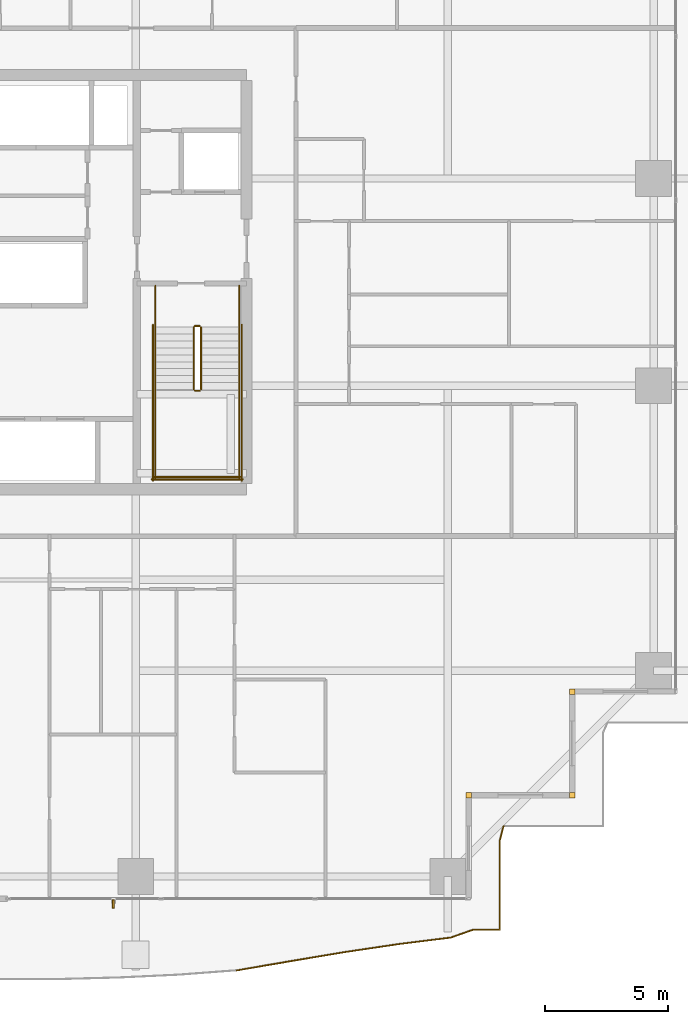
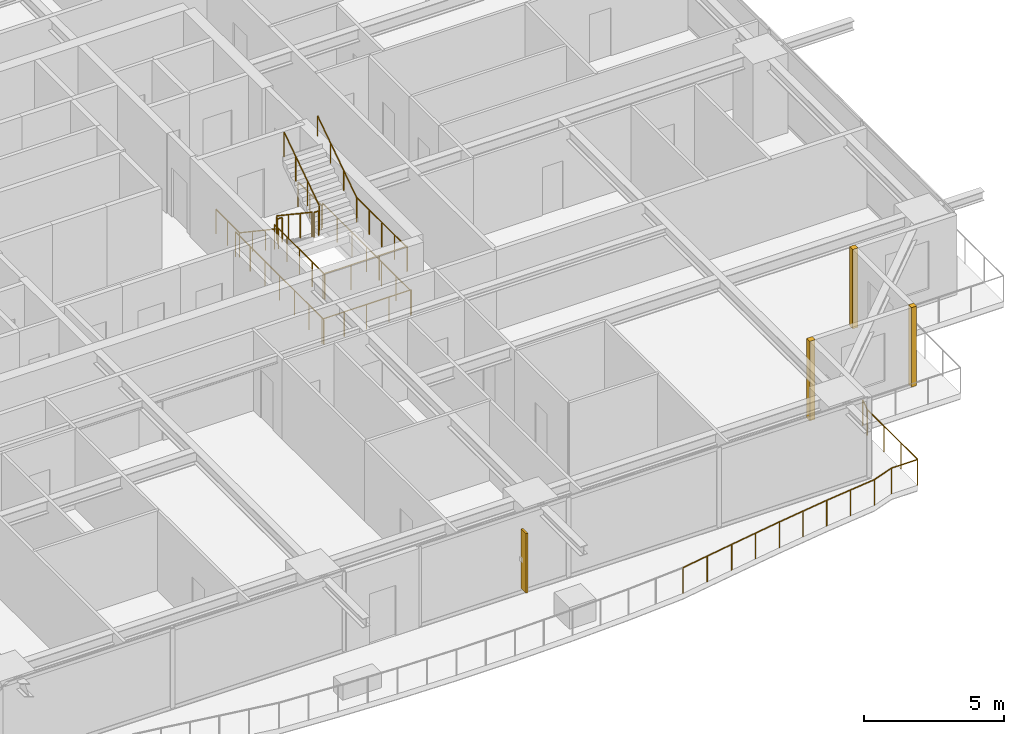
# One storey, part 38 of 41: 15 railings, 3 coverings, 1 shading device.
"""IFC4 building model written with IfcOpenShell, lengths in metres."""

from ifc_helpers import new_model, si_unit, direction, frame, origin, origin_2d, place, context, subcontext, project, spatial, rectangle, circle, extrude, source, transform, mapped, material, layer, layer_set, type_object, element, save


model = new_model("IFC4")

# Units and contexts
model_context = context("Model", 3, precision=1e-05, world=origin(), true_north=direction((0.0, 1.0)))
body_context = subcontext(model_context, "Body", "Model", "MODEL_VIEW")
ifc_project = project(units=[si_unit("LENGTHUNIT", "METRE"), si_unit("AREAUNIT", "SQUARE_METRE"), si_unit("VOLUMEUNIT", "CUBIC_METRE"), si_unit("PLANEANGLEUNIT", "RADIAN"), si_unit("MASSUNIT", "GRAM", prefix="KILO")], contexts=[model_context])

# Site, building, storey
site_placement = place(None, origin())
site = spatial("IfcSite", under=ifc_project, at=site_placement, CompositionType="ELEMENT")
building_placement = place(site_placement, origin())
building = spatial("IfcBuilding", under=site, at=building_placement, Name="Serunith Strait Residences", CompositionType="ELEMENT")
storey_placement = place(building_placement, frame((0.0, 0.0, 75.449951171875)))
storey = spatial("IfcBuildingStorey", under=building, at=storey_placement, Name="L18", CompositionType="ELEMENT", Elevation=75.449951171875)

# Railings
ifc_material_1 = material(Name="Stainless Steel & Laminated Glass Balustrade", Category="steel")
railing_type_1 = type_object("IfcRailingType", Name="RLG-BALC-1150", PredefinedType="BALUSTRADE", material=ifc_material_1)
railing_1_placement = place(storey_placement, frame((51.8173828125, 3.139892578125, -0.050048828125)))
element("IfcRailing", 1, at=railing_1_placement, inside=storey, type_object=railing_type_1, Name="L18 Swirling Balcony Perimeter Balustrade 6", PredefinedType="BALUSTRADE", context=body_context, shape_type="SweptSolid", body=[
    extrude(circle(Radius=0.02392578125, at=origin_2d()), frame((-0.00048828125, -0.001953125, 1.1259765625), z_axis=(-0.256745850586, -0.966478953835, 0.0), x_axis=(0.966478953835, -0.256745850586, 0.0)), (0.0, 0.0, 1.0), 0.609375),
    extrude(circle(Radius=0.02392578125, at=origin_2d()), frame((-0.157470703125, -0.5947265625, 1.1259765625), z_axis=(0.0, -1.0, 0.0), x_axis=(1.0, 0.0, 0.0)), (0.0, 0.0, 1.0), 3.603271484375),
    extrude(circle(Radius=0.02392578125, at=origin_2d()), frame((-0.159423828125, -4.199951171875, 1.1259765625), z_axis=(-1.0, 0.0, 0.0), x_axis=(0.0, -1.0, 0.0)), (0.0, 0.0, 1.0), 1.081787109375),
    extrude(circle(Radius=0.02392578125, at=origin_2d()), frame((-1.2451171875, -4.20068359375, 1.1259765625), z_axis=(-0.941747805368, -0.336319893978, 0.0), x_axis=(0.336319893978, -0.941747805368, 0.0)), (0.0, 0.0, 1.0), 0.93310546875),
    extrude(circle(Radius=0.02392578125, at=origin_2d()), frame((-2.127685546875, -4.515380859375, 1.1259765625), z_axis=(-0.992274370977, -0.124062777267, 0.0), x_axis=(0.124062777267, -0.992274370977, 0.0)), (0.0, 0.0, 1.0), 2.138916015625),
    extrude(circle(Radius=0.02392578125, at=origin_2d()), frame((-4.254150390625, -4.78125, 1.1259765625), z_axis=(-0.989076220208, -0.14740498845, 0.0), x_axis=(0.14740498845, -0.989076220208, 0.0)), (0.0, 0.0, 1.0), 2.165771484375),
    extrude(circle(Radius=0.02392578125, at=origin_2d()), frame((-6.400146484375, -5.10107421875, 1.1259765625), z_axis=(-0.986367082214, -0.164559956017, 0.0), x_axis=(0.164559956017, -0.986367082214, 0.0)), (0.0, 0.0, 1.0), 2.20947265625),
    extrude(circle(Radius=0.02392578125, at=origin_2d()), frame((-8.58349609375, -5.46533203125, 1.1259765625), z_axis=(-0.985598730788, -0.16910098128, 0.0), x_axis=(0.16910098128, -0.985598730788, 0.0)), (0.0, 0.0, 1.0), 2.2685546875),
    extrude(circle(Radius=0.02099609375, at=origin_2d()), origin(), (0.0, 0.0, 1.0), 1.099853515625),
    extrude(circle(Radius=0.02099609375, at=origin_2d()), frame((-0.157470703125, -0.5927734375, 0.0)), (0.0, 0.0, 1.0), 1.099853515625),
    extrude(circle(Radius=0.02099609375, at=origin_2d()), frame((-0.157470703125, -1.795166015625, 0.0)), (0.0, 0.0, 1.0), 1.099853515625),
    extrude(circle(Radius=0.02099609375, at=origin_2d()), frame((-0.157470703125, -2.99755859375, 0.0)), (0.0, 0.0, 1.0), 1.099853515625),
    extrude(circle(Radius=0.02099609375, at=origin_2d()), frame((-0.157470703125, -4.199951171875, 0.0)), (0.0, 0.0, 1.0), 1.099853515625),
    extrude(circle(Radius=0.02099609375, at=origin_2d()), frame((-1.2431640625, -4.199951171875, 0.0)), (0.0, 0.0, 1.0), 1.099853515625),
    extrude(circle(Radius=0.02099609375, at=origin_2d()), frame((-2.125732421875, -4.51513671875, 0.0)), (0.0, 0.0, 1.0), 1.099853515625),
    extrude(circle(Radius=0.02099609375, at=origin_2d()), frame((-3.18896484375, -4.64794921875, 0.0)), (0.0, 0.0, 1.0), 1.099853515625),
    extrude(circle(Radius=0.02099609375, at=origin_2d()), frame((-4.252197265625, -4.781005859375, 0.0)), (0.0, 0.0, 1.0), 1.099853515625),
    extrude(circle(Radius=0.02099609375, at=origin_2d()), frame((-5.3251953125, -4.94091796875, 0.0)), (0.0, 0.0, 1.0), 1.099853515625),
    extrude(circle(Radius=0.02099609375, at=origin_2d()), frame((-6.398193359375, -5.100830078125, 0.0)), (0.0, 0.0, 1.0), 1.099853515625),
    extrude(circle(Radius=0.02099609375, at=origin_2d()), frame((-7.48974609375, -5.282958984375, 0.0)), (0.0, 0.0, 1.0), 1.099853515625),
    extrude(circle(Radius=0.02099609375, at=origin_2d()), frame((-8.58154296875, -5.465087890625, 0.0)), (0.0, 0.0, 1.0), 1.099853515625),
    extrude(circle(Radius=0.02099609375, at=origin_2d()), frame((-9.701416015625, -5.6572265625, 0.0)), (0.0, 0.0, 1.0), 1.099853515625),
    extrude(circle(Radius=0.02099609375, at=origin_2d()), frame((-10.8212890625, -5.849365234375, 0.0)), (0.0, 0.0, 1.0), 1.099853515625),
])
ifc_material_2 = material(Name="Brushed stainless steel 316L", Category="steel")
railing_type_2 = type_object("IfcRailingType", Name="RLG-STAIR-GUARD", PredefinedType="BALUSTRADE", material=ifc_material_2)
railing_2_placement = place(storey_placement, frame((39.25, 23.3701171875, 0.1875)))
element("IfcRailing", 2, at=railing_2_placement, inside=storey, type_object=railing_type_2, Name="L18 ST-2 stair guard 1", PredefinedType="BALUSTRADE", context=body_context, shape_type="SweptSolid", body=[
    extrude(circle(Radius=0.02392578125, at=origin_2d()), frame((0.0, -0.001708984375, 1.0771484375), z_axis=(0.0, -0.830909170722, 0.55640807867), x_axis=(1.0, 0.0, 0.0)), (0.0, 0.0, 1.0), 3.02880859375),
    extrude(circle(Radius=0.02099609375, at=origin_2d()), origin(), (0.0, 0.0, 1.0), 1.050048828125),
    extrude(circle(Radius=0.02099609375, at=origin_2d()), frame((0.0, -0.840087890625, 0.5625)), (0.0, 0.0, 1.0), 1.050048828125),
    extrude(circle(Radius=0.02099609375, at=origin_2d()), frame((0.0, -1.679931640625, 1.125)), (0.0, 0.0, 1.0), 1.050048828125),
    extrude(circle(Radius=0.02099609375, at=origin_2d()), frame((0.0, -2.52001953125, 1.6875)), (0.0, 0.0, 1.0), 1.050048828125),
])
railing_3_placement = place(storey_placement, frame((39.300048828125, 20.800048828125, 1.875)))
element("IfcRailing", 3, at=railing_3_placement, inside=storey, type_object=railing_type_2, Name="L18 ST-2 stair guard 2", PredefinedType="BALUSTRADE", context=body_context, shape_type="SweptSolid", body=[
    extrude(circle(Radius=0.02392578125, at=origin_2d()), frame((0.001953125, 0.0, 1.076171875), z_axis=(1.0, 0.0, 0.0), x_axis=(0.0, 1.0, 0.0)), (0.0, 0.0, 1.0), 0.196044921875),
    extrude(circle(Radius=0.02099609375, at=origin_2d()), origin(), (0.0, 0.0, 1.0), 1.050048828125),
    extrude(circle(Radius=0.02099609375, at=origin_2d()), frame((0.199951171875, 0.0, 0.0)), (0.0, 0.0, 1.0), 1.050048828125),
])
for number, where, name in (
    (4, (37.699951171875, 20.85009765625, 1.875), "L18 ST-2 stair guard 3"),
    (5, (41.10009765625, 20.85009765625, 1.875), "L18 ST-2 stair guard 4"),
):
    element("IfcRailing", number, at=place(storey_placement, frame(where)), inside=storey, type_object=railing_type_2, Name=name, PredefinedType="BALUSTRADE", context=body_context, shape_type="SweptSolid", body=[
        extrude(circle(Radius=0.02392578125, at=origin_2d()), frame((0.0, -0.001953125, 1.076171875), z_axis=(0.0, -1.0, 0.0), x_axis=(1.0, 0.0, 0.0)), (0.0, 0.0, 1.0), 3.59619140625),
        extrude(circle(Radius=0.02099609375, at=origin_2d()), origin(), (0.0, 0.0, 1.0), 1.050048828125),
        extrude(circle(Radius=0.02099609375, at=origin_2d()), frame((0.0, -0.89990234375, 0.0)), (0.0, 0.0, 1.0), 1.050048828125),
        extrude(circle(Radius=0.02099609375, at=origin_2d()), frame((0.0, -1.800048828125, 0.0)), (0.0, 0.0, 1.0), 1.050048828125),
        extrude(circle(Radius=0.02099609375, at=origin_2d()), frame((0.0, -2.7001953125, 0.0)), (0.0, 0.0, 1.0), 1.050048828125),
        extrude(circle(Radius=0.02099609375, at=origin_2d()), frame((0.0, -3.60009765625, 0.0)), (0.0, 0.0, 1.0), 1.050048828125),
    ])
railing_4_placement = place(storey_placement, frame((37.64990234375, 17.300048828125, 1.875)))
element("IfcRailing", 6, at=railing_4_placement, inside=storey, type_object=railing_type_2, Name="L18 ST-2 stair guard 5", PredefinedType="BALUSTRADE", context=body_context, shape_type="SweptSolid", body=[
    extrude(circle(Radius=0.02392578125, at=origin_2d()), frame((0.001953125, 0.0, 1.076171875), z_axis=(1.0, 0.0, 0.0), x_axis=(0.0, 1.0, 0.0)), (0.0, 0.0, 1.0), 3.49609375),
    extrude(circle(Radius=0.02099609375, at=origin_2d()), origin(), (0.0, 0.0, 1.0), 1.050048828125),
    extrude(circle(Radius=0.02099609375, at=origin_2d()), frame((1.166748046875, 0.0, 0.0)), (0.0, 0.0, 1.0), 1.050048828125),
    extrude(circle(Radius=0.02099609375, at=origin_2d()), frame((2.333251953125, 0.0, 0.0)), (0.0, 0.0, 1.0), 1.050048828125),
    extrude(circle(Radius=0.02099609375, at=origin_2d()), frame((3.5, 0.0, 0.0)), (0.0, 0.0, 1.0), 1.050048828125),
])
railing_5_placement = place(storey_placement, frame((39.550048828125, 20.85009765625, 2.0625)))
element("IfcRailing", 7, at=railing_5_placement, inside=storey, type_object=railing_type_2, Name="L18 ST-2 stair guard 6", PredefinedType="BALUSTRADE", context=body_context, shape_type="SweptSolid", body=[
    extrude(circle(Radius=0.02392578125, at=origin_2d()), frame((0.0, 0.001708984375, 1.0771484375), z_axis=(0.0, 0.830909170722, 0.55640807867), x_axis=(-1.0, 0.0, 0.0)), (0.0, 0.0, 1.0), 3.02880859375),
    extrude(circle(Radius=0.02099609375, at=origin_2d()), origin(), (0.0, 0.0, 1.0), 1.050048828125),
    extrude(circle(Radius=0.02099609375, at=origin_2d()), frame((0.0, 0.840087890625, 0.5625)), (0.0, 0.0, 1.0), 1.050048828125),
    extrude(circle(Radius=0.02099609375, at=origin_2d()), frame((0.0, 1.679931640625, 1.125)), (0.0, 0.0, 1.0), 1.050048828125),
    extrude(circle(Radius=0.02099609375, at=origin_2d()), frame((0.0, 2.52001953125, 1.6875)), (0.0, 0.0, 1.0), 1.050048828125),
])
railing_6_placement = place(storey_placement, frame((39.300048828125, 23.419921875, 0.0)))
element("IfcRailing", 8, at=railing_6_placement, inside=storey, type_object=railing_type_2, Name="L18 ST-2 stair guard 7", PredefinedType="BALUSTRADE", context=body_context, shape_type="SweptSolid", body=[
    extrude(circle(Radius=0.02392578125, at=origin_2d()), frame((0.001953125, 0.0, 1.076171875), z_axis=(1.0, 0.0, 0.0), x_axis=(0.0, 1.0, 0.0)), (0.0, 0.0, 1.0), 0.196044921875),
    extrude(circle(Radius=0.02099609375, at=origin_2d()), origin(), (0.0, 0.0, 1.0), 1.050048828125),
    extrude(circle(Radius=0.02099609375, at=origin_2d()), frame((0.199951171875, 0.0, 0.0)), (0.0, 0.0, 1.0), 1.050048828125),
])
for number, where, name in (
    (9, (37.699951171875, 25.050048828125, 0.0), "L18 ST-2 stair guard 8"),
    (10, (41.10009765625, 25.050048828125, 0.0), "L18 ST-2 stair guard 9"),
):
    element("IfcRailing", number, at=place(storey_placement, frame(where)), inside=storey, type_object=railing_type_2, Name=name, PredefinedType="BALUSTRADE", context=body_context, shape_type="SweptSolid", body=[
        extrude(circle(Radius=0.02392578125, at=origin_2d()), frame((0.0, -0.001953125, 1.076171875), z_axis=(0.0, -1.0, 0.0), x_axis=(1.0, 0.0, 0.0)), (0.0, 0.0, 1.0), 1.676025390625),
        extrude(circle(Radius=0.02099609375, at=origin_2d()), origin(), (0.0, 0.0, 1.0), 1.050048828125),
        extrude(circle(Radius=0.02099609375, at=origin_2d()), frame((0.0, -0.83984375, 0.0)), (0.0, 0.0, 1.0), 1.050048828125),
        extrude(circle(Radius=0.02099609375, at=origin_2d()), frame((0.0, -1.679931640625, 0.0)), (0.0, 0.0, 1.0), 1.050048828125),
    ])
for number, where, name in (
    (11, (37.60009765625, 23.469970703125, 0.0), "L18 ST-2 stair guard 10"),
    (12, (41.199951171875, 23.469970703125, 0.0), "L18 ST-2 stair guard 11"),
):
    element("IfcRailing", number, at=place(storey_placement, frame(where)), inside=storey, type_object=railing_type_2, Name=name, PredefinedType="BALUSTRADE", context=body_context, shape_type="SweptSolid", body=[
        extrude(circle(Radius=0.02392578125, at=origin_2d()), frame((0.0, -0.001953125, 1.076171875), z_axis=(0.0, -1.0, 0.0), x_axis=(1.0, 0.0, 0.0)), (0.0, 0.0, 1.0), 6.316162109375),
        extrude(circle(Radius=0.02099609375, at=origin_2d()), origin(), (0.0, 0.0, 1.0), 1.050048828125),
        extrude(circle(Radius=0.02099609375, at=origin_2d()), frame((0.0, -1.05322265625, 0.0)), (0.0, 0.0, 1.0), 1.050048828125),
        extrude(circle(Radius=0.02099609375, at=origin_2d()), frame((0.0, -2.106689453125, 0.0)), (0.0, 0.0, 1.0), 1.050048828125),
        extrude(circle(Radius=0.02099609375, at=origin_2d()), frame((0.0, -3.16015625, 0.0)), (0.0, 0.0, 1.0), 1.050048828125),
        extrude(circle(Radius=0.02099609375, at=origin_2d()), frame((0.0, -4.21337890625, 0.0)), (0.0, 0.0, 1.0), 1.050048828125),
        extrude(circle(Radius=0.02099609375, at=origin_2d()), frame((0.0, -5.2666015625, 0.0)), (0.0, 0.0, 1.0), 1.050048828125),
        extrude(circle(Radius=0.02099609375, at=origin_2d()), frame((0.0, -6.320068359375, 0.0)), (0.0, 0.0, 1.0), 1.050048828125),
    ])
railing_7_placement = place(storey_placement, frame((37.550048828125, 17.199951171875, 0.0)))
element("IfcRailing", 13, at=railing_7_placement, inside=storey, type_object=railing_type_2, Name="L18 ST-2 stair guard 12", PredefinedType="BALUSTRADE", context=body_context, shape_type="SweptSolid", body=[
    extrude(circle(Radius=0.02392578125, at=origin_2d()), frame((0.001953125, 0.0, 1.076171875), z_axis=(1.0, 0.0, 0.0), x_axis=(0.0, 1.0, 0.0)), (0.0, 0.0, 1.0), 3.696044921875),
    extrude(circle(Radius=0.02099609375, at=origin_2d()), origin(), (0.0, 0.0, 1.0), 1.050048828125),
    extrude(circle(Radius=0.02099609375, at=origin_2d()), frame((0.925048828125, 0.0, 0.0)), (0.0, 0.0, 1.0), 1.050048828125),
    extrude(circle(Radius=0.02099609375, at=origin_2d()), frame((1.85009765625, 0.0, 0.0)), (0.0, 0.0, 1.0), 1.050048828125),
    extrude(circle(Radius=0.02099609375, at=origin_2d()), frame((2.77490234375, 0.0, 0.0)), (0.0, 0.0, 1.0), 1.050048828125),
    extrude(circle(Radius=0.02099609375, at=origin_2d()), frame((3.699951171875, 0.0, 0.0)), (0.0, 0.0, 1.0), 1.050048828125),
])
railing_type_3 = type_object("IfcRailingType", Name="RLG-STAIR-HR", PredefinedType="HANDRAIL", material=ifc_material_2)
railing_8_placement = place(storey_placement, frame((37.699951171875, 23.3701171875, 0.1875)))
element("IfcRailing", 14, at=railing_8_placement, inside=storey, type_object=railing_type_3, Name="L18 ST-2 stair handrail 1", PredefinedType="HANDRAIL", context=body_context, shape_type="SweptSolid", body=[
    extrude(circle(Radius=0.02392578125, at=origin_2d()), frame((0.0, -0.001708984375, 0.876953125), z_axis=(0.0, -0.830208209119, 0.557453432594), x_axis=(1.0, 0.0, 0.0)), (0.0, 0.0, 1.0), 3.36865234375),
    extrude(circle(Radius=0.02099609375, at=origin_2d()), origin(), (0.0, 0.0, 1.0), 0.849853515625),
    extrude(circle(Radius=0.02099609375, at=origin_2d()), frame((0.0, -0.933349609375, 0.626708984375)), (0.0, 0.0, 1.0), 0.849853515625),
    extrude(circle(Radius=0.02099609375, at=origin_2d()), frame((0.0, -1.86669921875, 1.25341796875)), (0.0, 0.0, 1.0), 0.849853515625),
    extrude(circle(Radius=0.02099609375, at=origin_2d()), frame((0.0, -2.800048828125, 1.880126953125)), (0.0, 0.0, 1.0), 0.849853515625),
])
railing_9_placement = place(storey_placement, frame((41.10009765625, 20.85009765625, 2.0625)))
element("IfcRailing", 15, at=railing_9_placement, inside=storey, type_object=railing_type_3, Name="L18 ST-2 stair handrail 2", PredefinedType="HANDRAIL", context=body_context, shape_type="SweptSolid", body=[
    extrude(circle(Radius=0.02392578125, at=origin_2d()), frame((0.0, 0.001708984375, 0.876953125), z_axis=(0.0, 0.830185712471, 0.557486935101), x_axis=(-1.0, 0.0, 0.0)), (0.0, 0.0, 1.0), 3.368408203125),
    extrude(circle(Radius=0.02099609375, at=origin_2d()), origin(), (0.0, 0.0, 1.0), 0.849853515625),
    extrude(circle(Radius=0.02099609375, at=origin_2d()), frame((0.0, 0.933349609375, 0.626708984375)), (0.0, 0.0, 1.0), 0.849853515625),
    extrude(circle(Radius=0.02099609375, at=origin_2d()), frame((0.0, 1.866455078125, 1.25341796875)), (0.0, 0.0, 1.0), 0.849853515625),
    extrude(circle(Radius=0.02099609375, at=origin_2d()), frame((0.0, 2.7998046875, 1.880126953125)), (0.0, 0.0, 1.0), 0.849853515625),
])

# Coverings
ifc_material_3 = material(Name="Pale-Champagne Anodised Aluminium", Category="aluminium")
ifc_layer = layer(ifc_material_3, 0.219970703125, Name="Pale-Champagne Anodised Aluminium")
ifc_layer_set = layer_set([ifc_layer], Name="Pale-Champagne Anodised Aluminium")
covering_type = type_object("IfcCoveringType", Name="COV-CORN-TRIM", PredefinedType="CLADDING", material=ifc_layer_set)
shared_shape_1 = source(origin(), body_context, "Body", "SweptSolid", [
    extrude(rectangle(XDim=0.221923828125, YDim=0.221923828125, at=origin_2d()), origin(), (0.0, 0.0, 1.0), 3.47509765625),
])
for number, where, z_axis, x_axis, name in (
    (16, (50.39990234375, 4.39990234375, 0.0), (0.0, 0.0, 1.0), (1.0, 0.0, 0.0), "L18 Girih Serrated Corner Trim Post 02"),
    (17, (54.60009765625, 4.39990234375, 0.0), (0.0, 0.0, 1.0), (1.0, 0.0, 0.0), "L18 Girih Serrated Corner Trim Post 03"),
    (18, (54.60009765625, 8.60009765625, 0.0), (0.0, 0.0, 1.0), (1.0, 0.0, 0.0), "L18 Girih Serrated Corner Trim Post 04"),
):
    element("IfcCovering", number, at=place(storey_placement, frame(where, z_axis=z_axis, x_axis=x_axis)), inside=storey, type_object=covering_type, Name=name, PredefinedType="CLADDING", context=body_context, shape_type="MappedRepresentation", body=[
        mapped(shared_shape_1, transform((0.0, 0.0, 0.0), scale=1.0)),
    ])

# Shading device
ifc_material_4 = material(Name="Pale-Champagne Perforated Aluminium Fin", Category="aluminium")
shading_device_type = type_object("IfcShadingDeviceType", Name="SHD-DIAG-FIN", PredefinedType="AWNING", material=ifc_material_4)
shared_shape_2 = source(origin(), body_context, "Body", "SweptSolid", [
    extrude(rectangle(XDim=0.080078125, YDim=0.35009765625, at=origin_2d()), origin(), (0.0, 0.0, 1.0), 2.60009765625),
])
shading_device_placement = place(storey_placement, frame((36.0, -0.02001953125, 0.199951171875), z_axis=(0.0, 0.0, 1.0), x_axis=(1.0, 0.0, 0.0)))
element("IfcShadingDevice", 19, at=shading_device_placement, inside=storey, type_object=shading_device_type, Name="L18 Diagonal Rhythm Solar Fin S", PredefinedType="AWNING", context=body_context, shape_type="MappedRepresentation", body=[
    mapped(shared_shape_2, transform((0.0, 0.0, 0.0), scale=1.0)),
])

save(model, "model.ifc")
